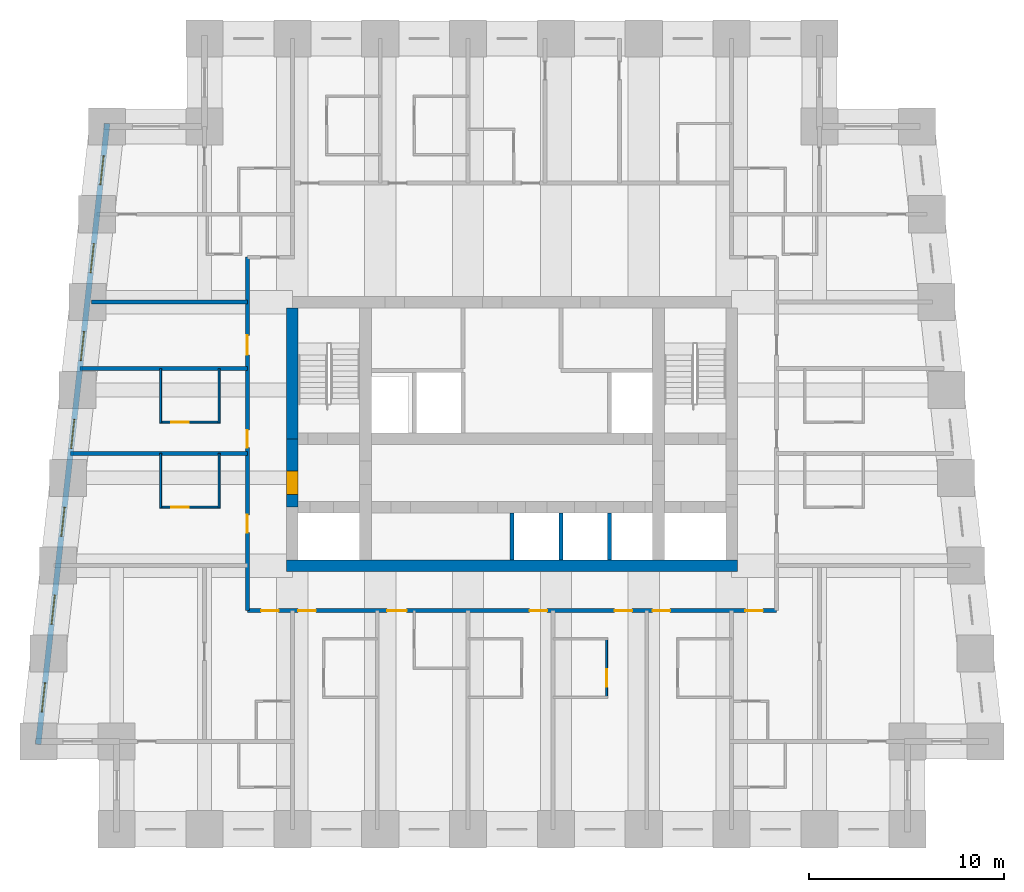
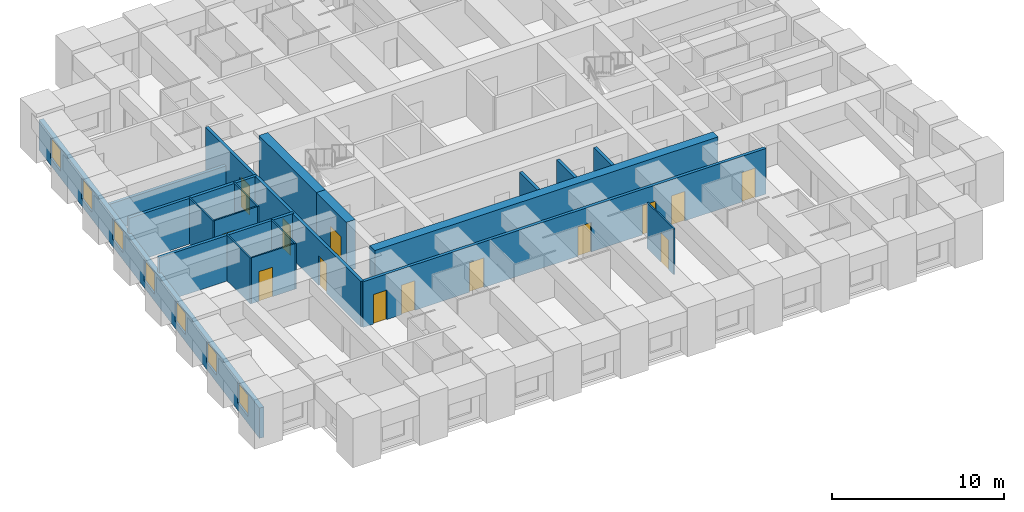
# One storey, part 3 of 8: 19 walls, 14 doors, 7 windows, 21 openings.
"""IFC4 building model written with IfcOpenShell, lengths in metres."""

import ifcopenshell
import ifcopenshell.guid

model = None  # the IFC model being written
_history = None  # IfcOwnerHistory: only IFC2X3 demands one
_inside = {}  # id of a spatial element -> (the spatial element, [elements in it])
_under = {}  # id of a project, library or spatial element -> (it, [spatial elements below it])
_declared = {}  # id of a project -> (the project, [libraries it declares])
_typed = {}  # id of a type object -> (the type object, [elements of that type])
_made_of = {}  # id of a material, layer set ... -> (it, [elements and type objects made of it])


def new_model(schema):
    """Start an empty IFC model of exactly this schema.

    Asked for "IFC4X3", IfcOpenShell would pick the latest addendum, in which some entities
    have other attributes; the version numbers below select the first issue.
    IFC2X3 requires an IfcOwnerHistory on every rooted entity: one is made here for all.
    """
    global model, _history
    if schema == "IFC4X3":
        model = ifcopenshell.file(schema_version=(4, 3, 0, 0))
    else:
        model = ifcopenshell.file(schema=schema)
    _inside.clear()
    _under.clear()
    _declared.clear()
    _typed.clear()
    _made_of.clear()
    _history = None
    if model.schema == "IFC2X3":
        org = make("IfcOrganization", Name="unknown")
        user = make(
            "IfcPersonAndOrganization",
            ThePerson=make("IfcPerson", FamilyName="unknown"),
            TheOrganization=org,
        )
        app = make(
            "IfcApplication",
            ApplicationDeveloper=org,
            Version="unknown",
            ApplicationFullName="unknown",
            ApplicationIdentifier="unknown",
        )
        _history = make(
            "IfcOwnerHistory",
            OwningUser=user,
            OwningApplication=app,
            ChangeAction="ADDED",
            CreationDate=0,
        )
    return model


def make(cls, **values):
    """One entity of the class cls with the attributes given. An attribute that is None is left unset."""
    return model.create_entity(
        cls, **{name: value for name, value in values.items() if value is not None}
    )


def rooted(cls, **values):
    """An entity with a GlobalId (a new one), such as an element, a storey or a relation."""
    return make(cls, GlobalId=ifcopenshell.guid.new(), OwnerHistory=_history, **values)


def si_unit(unit_type, name, prefix=None):
    """IfcSIUnit, for example si_unit("LENGTHUNIT", "METRE", prefix="MILLI")."""
    return make("IfcSIUnit", UnitType=unit_type, Prefix=prefix, Name=name)


def assignment(units):
    """IfcUnitAssignment: the units of a project."""
    return None if units is None else make("IfcUnitAssignment", Units=units)


def point(xyz):
    """IfcCartesianPoint."""
    return None if xyz is None else make("IfcCartesianPoint", Coordinates=xyz)


def direction(xyz):
    """IfcDirection."""
    return None if xyz is None else make("IfcDirection", DirectionRatios=xyz)


def frame(location, z_axis=None, x_axis=None):
    """IfcAxis2Placement3D, a coordinate frame: its origin and axes. An axis left out is left unset."""
    return make(
        "IfcAxis2Placement3D",
        Location=point(location),
        Axis=direction(z_axis),
        RefDirection=direction(x_axis),
    )


def frame_2d(location, x_axis=None):
    """IfcAxis2Placement2D, a coordinate frame in the plane: its origin and x axis."""
    return make(
        "IfcAxis2Placement2D", Location=point(location), RefDirection=direction(x_axis)
    )


def origin():
    """The frame at (0, 0, 0) with its axes left unset."""
    return frame((0.0, 0.0, 0.0))


def place(relative_to, where):
    """IfcLocalPlacement: puts the frame where relative to a parent placement (None: the world)."""
    return make(
        "IfcLocalPlacement", PlacementRelTo=relative_to, RelativePlacement=where
    )


def context(
    kind, dimensions, precision=None, world=None, true_north=None, identifier=None
):
    """IfcGeometricRepresentationContext, for example the 3D "Model" context."""
    return make(
        "IfcGeometricRepresentationContext",
        ContextIdentifier=identifier,
        ContextType=kind,
        CoordinateSpaceDimension=dimensions,
        Precision=precision,
        WorldCoordinateSystem=world,
        TrueNorth=true_north,
    )


def subcontext(parent, identifier, kind, view, scale=None):
    """IfcGeometricRepresentationSubContext, for example "Body" below "Model"."""
    return make(
        "IfcGeometricRepresentationSubContext",
        ContextIdentifier=identifier,
        ContextType=kind,
        ParentContext=parent,
        TargetScale=scale,
        TargetView=view,
    )


def project(units=None, contexts=None):
    """IfcProject with its units and contexts."""
    return rooted(
        "IfcProject",
        Name="project",
        RepresentationContexts=contexts,
        UnitsInContext=assignment(units),
    )


def spatial(cls, under=None, at=None, **own):
    """A site, building, storey or space (cls), placed at a placement, below another one or the project."""
    s = rooted(cls, ObjectPlacement=at, **own)
    if under is not None:
        _under.setdefault(under.id(), (under, []))[1].append(s)
    return s


def profile(cls, at=None, kind="AREA", **sizes):
    """A parametric profile (cls). Its sizes go by their IFC names, for example OverallWidth=200.0."""
    return make(cls, ProfileType=kind, Position=at, **sizes)


def rectangle(**sizes):
    """IfcRectangleProfileDef."""
    return profile("IfcRectangleProfileDef", **sizes)


def extrude(swept, where, along, depth):
    """IfcExtrudedAreaSolid: the profile swept, set in the frame where, extruded along a direction by depth."""
    return make(
        "IfcExtrudedAreaSolid",
        SweptArea=swept,
        Position=where,
        ExtrudedDirection=direction(along),
        Depth=depth,
    )


def shape(context_of_items, identifier, shape_type, items):
    """IfcShapeRepresentation: the items that make up one representation, for example the "Body"."""
    return make(
        "IfcShapeRepresentation",
        ContextOfItems=context_of_items,
        RepresentationIdentifier=identifier,
        RepresentationType=shape_type,
        Items=items,
    )


def material(Name=None, Category=None):
    """IfcMaterial."""
    return make("IfcMaterial", Name=Name, Category=Category)


def layer(
    of_material, thickness, ventilated=None, Name=None, Category=None, Priority=None
):
    """IfcMaterialLayer: one layer of a wall or slab, of a material (None: an air gap)."""
    return make(
        "IfcMaterialLayer",
        Material=of_material,
        LayerThickness=thickness,
        IsVentilated=ventilated,
        Name=Name,
        Category=Category,
        Priority=Priority,
    )


def layer_set(layers, Name=None):
    """IfcMaterialLayerSet."""
    return make("IfcMaterialLayerSet", MaterialLayers=layers, LayerSetName=Name)


def made_of(thing, what):
    """Note that an element or type object is made of a material, layer set ...; save() writes the relation."""
    if what is not None:
        _made_of.setdefault(what.id(), (what, []))[1].append(thing)
    return thing


def type_object(cls, material=None, **own):
    """A type object (cls), such as IfcWallType, which elements share."""
    return made_of(rooted(cls, **own), material)


def element(
    cls,
    number,
    at=None,
    inside=None,
    cuts=None,
    type_object=None,
    material=None,
    context=None,
    identifier="Body",
    shape_type=None,
    held_by="IfcProductDefinitionShape",
    body=None,
    shapes=None,
    **own,
):
    """One element of the class cls, such as IfcWall. Its Tag is "e" and its number.

    at: its placement. inside: the storey or other place that contains it. cuts: it is an
    opening in that element (IfcRelVoidsElement). A single representation is given by context,
    identifier, shape_type and body (its items); several are given by shapes. held_by: the class
    of the entity that holds the representations. save() writes the other relations.
    """
    e = rooted(cls, Tag="e%d" % number, ObjectPlacement=at, **own)
    if body is not None:
        shapes = [shape(context, identifier, shape_type, body)]
    if shapes is not None:
        e.Representation = make(held_by, Representations=shapes)
    if inside is not None:
        _inside.setdefault(inside.id(), (inside, []))[1].append(e)
    if cuts is not None:
        rooted(
            "IfcRelVoidsElement", RelatingBuildingElement=cuts, RelatedOpeningElement=e
        )
    if type_object is not None:
        _typed.setdefault(type_object.id(), (type_object, []))[1].append(e)
    return made_of(e, material)


def fill(opening, filler):
    """IfcRelFillsElement: the door or window that sits in an opening."""
    return rooted(
        "IfcRelFillsElement",
        RelatingOpeningElement=opening,
        RelatedBuildingElement=filler,
    )


def aggregate(whole, parts):
    """IfcRelAggregates: a whole, such as a stair, and the parts it consists of."""
    return rooted("IfcRelAggregates", RelatingObject=whole, RelatedObjects=parts)


def save(model, path):
    """Write the relations noted so far, then the file.

    IfcRelAggregates (storeys below a building ...), IfcRelContainedInSpatialStructure (elements
    in a storey), IfcRelDefinesByType, IfcRelAssociatesMaterial and IfcRelDeclares: one each for
    every whole, place, type object, material and project.
    """
    for whole, parts in _under.values():
        aggregate(whole, parts)
    for where, things in _inside.values():
        rooted(
            "IfcRelContainedInSpatialStructure",
            RelatedElements=things,
            RelatingStructure=where,
        )
    for kind, things in _typed.values():
        rooted("IfcRelDefinesByType", RelatedObjects=things, RelatingType=kind)
    for what, things in _made_of.values():
        rooted("IfcRelAssociatesMaterial", RelatedObjects=things, RelatingMaterial=what)
    for by, libraries in _declared.values():
        rooted("IfcRelDeclares", RelatingContext=by, RelatedDefinitions=libraries)
    model.write(path)


model = new_model("IFC4")

# Units and contexts
model_context = context("Model", 3, precision=1e-05, world=origin(), true_north=direction((0.0, 1.0)))
body_context = subcontext(model_context, "Body", "Model", "MODEL_VIEW")
ifc_project = project(units=[si_unit("LENGTHUNIT", "METRE"), si_unit("AREAUNIT", "SQUARE_METRE"), si_unit("VOLUMEUNIT", "CUBIC_METRE"), si_unit("PLANEANGLEUNIT", "RADIAN"), si_unit("MASSUNIT", "GRAM", prefix="KILO")], contexts=[model_context])

# Site, building, storey
site_placement = place(None, origin())
site = spatial("IfcSite", under=ifc_project, at=site_placement, CompositionType="ELEMENT")
building_placement = place(site_placement, origin())
building = spatial("IfcBuilding", under=site, at=building_placement, Name="Kilele Tower Hotel", CompositionType="ELEMENT")
storey_placement = place(building_placement, frame((0.0, 0.0, 107.39990234375)))
storey = spatial("IfcBuildingStorey", under=building, at=storey_placement, Name="L27", CompositionType="ELEMENT", Elevation=107.39990234375)

# Wall, opening, door
ifc_material_1 = material(Name="Moisture-resistant board")
ifc_layer_1 = layer(ifc_material_1, 0.10009765625)
ifc_layer_set_1 = layer_set([ifc_layer_1], Name="Moisture-resistant board")
wall_type_1 = type_object("IfcWallType", Name="Bathroom partition 100", PredefinedType="PLUMBINGWALL", material=ifc_layer_set_1)
wall_1_placement = place(storey_placement, frame((29.60009765625, 9.800048828125, 0.0), z_axis=(0.0, 0.0, 1.0), x_axis=(0.0, -1.0, 0.0)))
wall_1 = element("IfcWall", 1, at=wall_1_placement, inside=storey, type_object=wall_type_1, Name="Bathroom partition 100 L27", PredefinedType="PLUMBINGWALL", context=body_context, shape_type="SweptSolid", body=[
    extrude(rectangle(XDim=3.10009765625, YDim=0.10009765625, at=frame_2d((1.550048828125, 0.0))), origin(), (0.0, 0.0, 1.0), 3.25),
])
opening_1_placement = place(wall_1_placement, frame((1.60009765625, 0.0, 0.0)))
opening_1 = element("IfcOpeningElement", 2, at=opening_1_placement, cuts=wall_1, Name="Opening D2A", PredefinedType="OPENING", context=body_context, shape_type="SweptSolid", body=[
    extrude(rectangle(XDim=0.89990234375, YDim=2.10009765625, at=frame_2d((0.449951171875, 1.050048828125))), frame((0.0, 0.06005859375, 0.0), z_axis=(0.0, -1.0, 0.0), x_axis=(1.0, 0.0, 0.0)), (0.0, 0.0, 1.0), 0.1201171875),
])
ifc_material_2 = material(Name="Timber door leaf in hardwood frame", Category="wood")
door_type_1 = type_object("IfcDoorType", Name="Bathroom door 900", OperationType="SINGLE_SWING_LEFT", PredefinedType="DOOR", material=ifc_material_2)
door_1_placement = place(opening_1_placement, origin())
door_1 = element("IfcDoor", 3, at=door_1_placement, inside=storey, type_object=door_type_1, Name="Bathroom door 2704B", OperationType="SINGLE_SWING_RIGHT", OverallHeight=2.10009765625, OverallWidth=0.89990234375, PredefinedType="DOOR", context=body_context, shape_type="SweptSolid", body=[
    extrude(rectangle(XDim=0.89990234375, YDim=2.10009765625, at=frame_2d((0.449951171875, 1.050048828125))), frame((0.0, 0.02490234375, 0.0), z_axis=(0.0, -1.0, 0.0), x_axis=(1.0, 0.0, 0.0)), (0.0, 0.0, 1.0), 0.050048828125),
])
fill(opening_1, door_1)

# Walls
for number, where, z_axis, x_axis, name in (
    (4, (9.75, 16.449951171875, 0.0), (0.0, 0.0, 1.0), (0.0, 1.0, 0.0), "Bathroom partition 100 L27"),
    (5, (6.75, 16.449951171875, 0.0), (0.0, 0.0, 1.0), (0.0, 1.0, 0.0), "Bathroom partition 100 L27"),
):
    element("IfcWall", number, at=place(storey_placement, frame(where, z_axis=z_axis, x_axis=x_axis)), inside=storey, type_object=wall_type_1, Name=name, PredefinedType="PLUMBINGWALL", context=body_context, shape_type="SweptSolid", body=[
        extrude(rectangle(XDim=2.800048828125, YDim=0.10009765625, at=frame_2d((1.39990234375, 0.0))), origin(), (0.0, 0.0, 1.0), 3.25),
    ])

# Wall, opening, door
wall_2_placement = place(storey_placement, frame((9.800048828125, 16.5, 0.0), z_axis=(0.0, 0.0, 1.0), x_axis=(-1.0, 0.0, 0.0)))
wall_2 = element("IfcWall", 6, at=wall_2_placement, inside=storey, type_object=wall_type_1, Name="Bathroom partition 100 L27", PredefinedType="PLUMBINGWALL", context=body_context, shape_type="SweptSolid", body=[
    extrude(rectangle(XDim=3.10009765625, YDim=0.10009765625, at=frame_2d((1.550048828125, 0.0))), origin(), (0.0, 0.0, 1.0), 3.25),
])
opening_2_placement = place(wall_2_placement, frame((1.60009765625, 0.0, 0.0)))
opening_2 = element("IfcOpeningElement", 7, at=opening_2_placement, cuts=wall_2, Name="Opening D2A", PredefinedType="OPENING", context=body_context, shape_type="SweptSolid", body=[
    extrude(rectangle(XDim=0.89990234375, YDim=2.10009765625, at=frame_2d((0.449951171875, 1.050048828125))), frame((0.0, 0.06005859375, 0.0), z_axis=(0.0, -1.0, 0.0), x_axis=(1.0, 0.0, 0.0)), (0.0, 0.0, 1.0), 0.1201171875),
])
door_2_placement = place(opening_2_placement, origin())
door_2 = element("IfcDoor", 8, at=door_2_placement, inside=storey, type_object=door_type_1, Name="Bathroom door 2714B", OperationType="SINGLE_SWING_RIGHT", OverallHeight=2.10009765625, OverallWidth=0.89990234375, PredefinedType="DOOR", context=body_context, shape_type="SweptSolid", body=[
    extrude(rectangle(XDim=0.89990234375, YDim=2.10009765625, at=frame_2d((0.449951171875, 1.050048828125))), frame((0.0, 0.02490234375, 0.0), z_axis=(0.0, -1.0, 0.0), x_axis=(1.0, 0.0, 0.0)), (0.0, 0.0, 1.0), 0.050048828125),
])
fill(opening_2, door_2)

# Walls
for number, where, z_axis, x_axis, name in (
    (9, (9.75, 20.800048828125, 0.0), (0.0, 0.0, 1.0), (0.0, 1.0, 0.0), "Bathroom partition 100 L27"),
    (10, (6.75, 20.800048828125, 0.0), (0.0, 0.0, 1.0), (0.0, 1.0, 0.0), "Bathroom partition 100 L27"),
):
    element("IfcWall", number, at=place(storey_placement, frame(where, z_axis=z_axis, x_axis=x_axis)), inside=storey, type_object=wall_type_1, Name=name, PredefinedType="PLUMBINGWALL", context=body_context, shape_type="SweptSolid", body=[
        extrude(rectangle(XDim=2.800048828125, YDim=0.10009765625, at=frame_2d((1.39990234375, 0.0))), origin(), (0.0, 0.0, 1.0), 3.25),
    ])

# Wall, opening, door
wall_3_placement = place(storey_placement, frame((9.800048828125, 20.85009765625, 0.0), z_axis=(0.0, 0.0, 1.0), x_axis=(-1.0, 0.0, 0.0)))
wall_3 = element("IfcWall", 11, at=wall_3_placement, inside=storey, type_object=wall_type_1, Name="Bathroom partition 100 L27", PredefinedType="PLUMBINGWALL", context=body_context, shape_type="SweptSolid", body=[
    extrude(rectangle(XDim=3.10009765625, YDim=0.10009765625, at=frame_2d((1.550048828125, 0.0))), origin(), (0.0, 0.0, 1.0), 3.25),
])
opening_3_placement = place(wall_3_placement, frame((1.60009765625, 0.0, 0.0)))
opening_3 = element("IfcOpeningElement", 12, at=opening_3_placement, cuts=wall_3, Name="Opening D2A", PredefinedType="OPENING", context=body_context, shape_type="SweptSolid", body=[
    extrude(rectangle(XDim=0.89990234375, YDim=2.10009765625, at=frame_2d((0.449951171875, 1.050048828125))), frame((0.0, 0.06005859375, 0.0), z_axis=(0.0, -1.0, 0.0), x_axis=(1.0, 0.0, 0.0)), (0.0, 0.0, 1.0), 0.1201171875),
])
door_3_placement = place(opening_3_placement, origin())
door_3 = element("IfcDoor", 13, at=door_3_placement, inside=storey, type_object=door_type_1, Name="Bathroom door 2715B", OperationType="SINGLE_SWING_RIGHT", OverallHeight=2.10009765625, OverallWidth=0.89990234375, PredefinedType="DOOR", context=body_context, shape_type="SweptSolid", body=[
    extrude(rectangle(XDim=0.89990234375, YDim=2.10009765625, at=frame_2d((0.449951171875, 1.050048828125))), frame((0.0, 0.02490234375, 0.0), z_axis=(0.0, -1.0, 0.0), x_axis=(1.0, 0.0, 0.0)), (0.0, 0.0, 1.0), 0.050048828125),
])
fill(opening_3, door_3)

# Walls
ifc_material_3 = material(Name="Concrete C60/75", Category="concrete")
ifc_layer_2 = layer(ifc_material_3, 0.60009765625)
ifc_layer_set_2 = layer_set([ifc_layer_2], Name="Concrete C60/75")
wall_type_2 = type_object("IfcWallType", Name="Core wall 600 C60/75", PredefinedType="SHEAR", material=ifc_layer_set_2)
wall_4_placement = place(storey_placement, frame((13.199951171875, 13.5, 0.0), z_axis=(0.0, 0.0, 1.0), x_axis=(1.0, 0.0, 0.0)))
element("IfcWall", 14, at=wall_4_placement, inside=storey, type_object=wall_type_2, Name="Core wall S L27", PredefinedType="SHEAR", context=body_context, shape_type="SweptSolid", body=[
    extrude(rectangle(XDim=23.10009765625, YDim=0.60009765625, at=frame_2d((11.550048828125, 0.0))), origin(), (0.0, 0.0, 1.0), 3.5),
])
wall_5_placement = place(storey_placement, frame((13.5, 26.699951171875, 0.0), z_axis=(0.0, 0.0, 1.0), x_axis=(0.0, -1.0, 0.0)))
element("IfcWall", 15, at=wall_5_placement, inside=storey, type_object=wall_type_2, Name="Core wall W1 L27", PredefinedType="SHEAR", context=body_context, shape_type="SweptSolid", body=[
    extrude(rectangle(XDim=6.699951171875, YDim=0.60009765625, at=frame_2d((3.35009765625, 0.0))), origin(), (0.0, 0.0, 1.0), 3.5),
])

# Wall, opening, door
wall_6_placement = place(storey_placement, frame((13.5, 20.0, 0.0), z_axis=(0.0, 0.0, 1.0), x_axis=(0.0, -1.0, 0.0)))
wall_6 = element("IfcWall", 16, at=wall_6_placement, inside=storey, type_object=wall_type_2, Name="Core wall W2 L27", PredefinedType="SHEAR", context=body_context, shape_type="SweptSolid", body=[
    extrude(rectangle(XDim=3.5, YDim=0.60009765625, at=frame_2d((1.75, 0.0))), origin(), (0.0, 0.0, 1.0), 3.5),
])
opening_4_placement = place(wall_6_placement, frame((1.64990234375, 0.0, 0.0)))
opening_4 = element("IfcOpeningElement", 17, at=opening_4_placement, cuts=wall_6, Name="Opening D4", PredefinedType="OPENING", context=body_context, shape_type="SweptSolid", body=[
    extrude(rectangle(XDim=1.199951171875, YDim=2.10009765625, at=frame_2d((0.60009765625, 1.050048828125))), frame((0.0, 0.31005859375, 0.0), z_axis=(0.0, -1.0, 0.0), x_axis=(1.0, 0.0, 0.0)), (0.0, 0.0, 1.0), 0.6201171875),
])
ifc_material_4 = material(Name="Timber door leaf in hardwood frame", Category="wood")
door_type_2 = type_object("IfcDoorType", Name="Firefighting lobby door 1200", OperationType="SINGLE_SWING_LEFT", PredefinedType="DOOR", material=ifc_material_4)
door_4_placement = place(opening_4_placement, origin())
door_4 = element("IfcDoor", 18, at=door_4_placement, inside=storey, type_object=door_type_2, Name="Lobby door L27", OperationType="SINGLE_SWING_RIGHT", OverallHeight=2.10009765625, OverallWidth=1.199951171875, PredefinedType="DOOR", context=body_context, shape_type="SweptSolid", body=[
    extrude(rectangle(XDim=1.199951171875, YDim=2.10009765625, at=frame_2d((0.60009765625, 1.050048828125))), frame((0.0, 0.2998046875, 0.0), z_axis=(0.0, -1.0, 0.0), x_axis=(1.0, 0.0, 0.0)), (0.0, 0.0, 1.0), 0.599609375),
])
fill(opening_4, door_4)

# Wall, openings, doors
ifc_material_5 = material(Name="Blockwork, plastered both sides", Category="masonry")
ifc_layer_3 = layer(ifc_material_5, 0.199951171875)
ifc_layer_set_3 = layer_set([ifc_layer_3], Name="Blockwork, plastered both sides")
wall_type_3 = type_object("IfcWallType", Name="Corridor wall 200", PredefinedType="PARTITIONING", material=ifc_layer_set_3)
wall_7_placement = place(storey_placement, frame((11.199951171875, 11.199951171875, 0.0), z_axis=(0.0, 0.0, 1.0), x_axis=(1.0, 0.0, 0.0)))
wall_7 = element("IfcWall", 19, at=wall_7_placement, inside=storey, type_object=wall_type_3, Name="Corridor wall 200 L27", PredefinedType="PARTITIONING", context=body_context, shape_type="SweptSolid", body=[
    extrude(rectangle(XDim=27.10009765625, YDim=0.199951171875, at=frame_2d((13.550048828125, 0.0))), origin(), (0.0, 0.0, 1.0), 3.25),
])
opening_5_placement = place(wall_7_placement, frame((3.5, 0.0, 0.0), z_axis=(0.0, 0.0, 1.0), x_axis=(-1.0, 0.0, 0.0)))
opening_5 = element("IfcOpeningElement", 20, at=opening_5_placement, cuts=wall_7, Name="Opening D1", PredefinedType="OPENING", context=body_context, shape_type="SweptSolid", body=[
    extrude(rectangle(XDim=0.89990234375, YDim=2.10009765625, at=frame_2d((0.449951171875, 1.050048828125))), frame((0.0, 0.10986328125, 0.0), z_axis=(0.0, -1.0, 0.0), x_axis=(1.0, 0.0, 0.0)), (0.0, 0.0, 1.0), 0.219970703125),
])
opening_6_placement = place(wall_7_placement, frame((8.14990234375, 0.0, 0.0), z_axis=(0.0, 0.0, 1.0), x_axis=(-1.0, 0.0, 0.0)))
opening_6 = element("IfcOpeningElement", 21, at=opening_6_placement, cuts=wall_7, Name="Opening D1A", PredefinedType="OPENING", context=body_context, shape_type="SweptSolid", body=[
    extrude(rectangle(XDim=1.0, YDim=2.10009765625, at=frame_2d((0.5, 1.050048828125))), frame((0.0, 0.10986328125, 0.0), z_axis=(0.0, -1.0, 0.0), x_axis=(1.0, 0.0, 0.0)), (0.0, 0.0, 1.0), 0.219970703125),
])
opening_7_placement = place(wall_7_placement, frame((15.349853515625, 0.0, 0.0), z_axis=(0.0, 0.0, 1.0), x_axis=(-1.0, 0.0, 0.0)))
opening_7 = element("IfcOpeningElement", 22, at=opening_7_placement, cuts=wall_7, Name="Opening D1", PredefinedType="OPENING", context=body_context, shape_type="SweptSolid", body=[
    extrude(rectangle(XDim=0.89990234375, YDim=2.10009765625, at=frame_2d((0.449951171875, 1.050048828125))), frame((0.0, 0.10986328125, 0.0), z_axis=(0.0, -1.0, 0.0), x_axis=(1.0, 0.0, 0.0)), (0.0, 0.0, 1.0), 0.219970703125),
])
opening_8_placement = place(wall_7_placement, frame((19.699951171875, 0.0, 0.0), z_axis=(0.0, 0.0, 1.0), x_axis=(-1.0, 0.0, 0.0)))
opening_8 = element("IfcOpeningElement", 23, at=opening_8_placement, cuts=wall_7, Name="Opening D1", PredefinedType="OPENING", context=body_context, shape_type="SweptSolid", body=[
    extrude(rectangle(XDim=0.89990234375, YDim=2.10009765625, at=frame_2d((0.449951171875, 1.050048828125))), frame((0.0, 0.10986328125, 0.0), z_axis=(0.0, -1.0, 0.0), x_axis=(1.0, 0.0, 0.0)), (0.0, 0.0, 1.0), 0.219970703125),
])
opening_9_placement = place(wall_7_placement, frame((21.64990234375, 0.0, 0.0), z_axis=(0.0, 0.0, 1.0), x_axis=(-1.0, 0.0, 0.0)))
opening_9 = element("IfcOpeningElement", 24, at=opening_9_placement, cuts=wall_7, Name="Opening D1", PredefinedType="OPENING", context=body_context, shape_type="SweptSolid", body=[
    extrude(rectangle(XDim=0.89990234375, YDim=2.10009765625, at=frame_2d((0.449951171875, 1.050048828125))), frame((0.0, 0.10986328125, 0.0), z_axis=(0.0, -1.0, 0.0), x_axis=(1.0, 0.0, 0.0)), (0.0, 0.0, 1.0), 0.219970703125),
])
opening_10_placement = place(wall_7_placement, frame((1.599853515625, 0.0, 0.0), z_axis=(0.0, 0.0, 1.0), x_axis=(-1.0, 0.0, 0.0)))
opening_10 = element("IfcOpeningElement", 25, at=opening_10_placement, cuts=wall_7, Name="Opening D1", PredefinedType="OPENING", context=body_context, shape_type="SweptSolid", body=[
    extrude(rectangle(XDim=0.89990234375, YDim=2.10009765625, at=frame_2d((0.449951171875, 1.050048828125))), frame((0.0, 0.10986328125, 0.0), z_axis=(0.0, -1.0, 0.0), x_axis=(1.0, 0.0, 0.0)), (0.0, 0.0, 1.0), 0.219970703125),
])
opening_11_placement = place(wall_7_placement, frame((26.39990234375, 0.0, 0.0), z_axis=(0.0, 0.0, 1.0), x_axis=(-1.0, 0.0, 0.0)))
opening_11 = element("IfcOpeningElement", 26, at=opening_11_placement, cuts=wall_7, Name="Opening D1", PredefinedType="OPENING", context=body_context, shape_type="SweptSolid", body=[
    extrude(rectangle(XDim=0.89990234375, YDim=2.10009765625, at=frame_2d((0.449951171875, 1.050048828125))), frame((0.0, 0.10986328125, 0.0), z_axis=(0.0, -1.0, 0.0), x_axis=(1.0, 0.0, 0.0)), (0.0, 0.0, 1.0), 0.219970703125),
])
ifc_material_6 = material(Name="Timber door leaf in hardwood frame", Category="wood")
door_type_3 = type_object("IfcDoorType", Name="Guest room entrance door 1000", OperationType="SINGLE_SWING_LEFT", PredefinedType="DOOR", material=ifc_material_6)
door_5_placement = place(opening_6_placement, origin())
door_5 = element("IfcDoor", 27, at=door_5_placement, inside=storey, type_object=door_type_3, Name="Room entrance 2702", OperationType="SINGLE_SWING_RIGHT", OverallHeight=2.10009765625, OverallWidth=1.0, PredefinedType="DOOR", context=body_context, shape_type="SweptSolid", body=[
    extrude(rectangle(XDim=1.0, YDim=2.10009765625, at=frame_2d((0.5, 1.050048828125))), frame((0.0, 0.02490234375, 0.0), z_axis=(0.0, -1.0, 0.0), x_axis=(1.0, 0.0, 0.0)), (0.0, 0.0, 1.0), 0.050048828125),
])
fill(opening_6, door_5)
ifc_material_7 = material(Name="Timber door leaf in hardwood frame", Category="wood")
door_type_4 = type_object("IfcDoorType", Name="Guest room entrance door 900", OperationType="SINGLE_SWING_LEFT", PredefinedType="DOOR", material=ifc_material_7)
door_6_placement = place(opening_5_placement, origin())
door_6 = element("IfcDoor", 28, at=door_6_placement, inside=storey, type_object=door_type_4, Name="Room entrance 2701", OperationType="SINGLE_SWING_RIGHT", OverallHeight=2.10009765625, OverallWidth=0.89990234375, PredefinedType="DOOR", context=body_context, shape_type="SweptSolid", body=[
    extrude(rectangle(XDim=0.89990234375, YDim=2.10009765625, at=frame_2d((0.449951171875, 1.050048828125))), frame((0.0, 0.02490234375, 0.0), z_axis=(0.0, -1.0, 0.0), x_axis=(1.0, 0.0, 0.0)), (0.0, 0.0, 1.0), 0.050048828125),
])
fill(opening_5, door_6)
door_7_placement = place(opening_7_placement, origin())
door_7 = element("IfcDoor", 29, at=door_7_placement, inside=storey, type_object=door_type_4, Name="Room entrance 2703", OperationType="SINGLE_SWING_LEFT", OverallHeight=2.10009765625, OverallWidth=0.89990234375, PredefinedType="DOOR", context=body_context, shape_type="SweptSolid", body=[
    extrude(rectangle(XDim=0.89990234375, YDim=2.10009765625, at=frame_2d((0.449951171875, 1.050048828125))), frame((0.0, 0.02490234375, 0.0), z_axis=(0.0, -1.0, 0.0), x_axis=(1.0, 0.0, 0.0)), (0.0, 0.0, 1.0), 0.050048828125),
])
fill(opening_7, door_7)
door_8_placement = place(opening_8_placement, origin())
door_8 = element("IfcDoor", 30, at=door_8_placement, inside=storey, type_object=door_type_4, Name="Room entrance 2704", OperationType="SINGLE_SWING_LEFT", OverallHeight=2.10009765625, OverallWidth=0.89990234375, PredefinedType="DOOR", context=body_context, shape_type="SweptSolid", body=[
    extrude(rectangle(XDim=0.89990234375, YDim=2.10009765625, at=frame_2d((0.449951171875, 1.050048828125))), frame((0.0, 0.02490234375, 0.0), z_axis=(0.0, -1.0, 0.0), x_axis=(1.0, 0.0, 0.0)), (0.0, 0.0, 1.0), 0.050048828125),
])
fill(opening_8, door_8)
door_9_placement = place(opening_9_placement, origin())
door_9 = element("IfcDoor", 31, at=door_9_placement, inside=storey, type_object=door_type_4, Name="Room entrance 2705", OperationType="SINGLE_SWING_RIGHT", OverallHeight=2.10009765625, OverallWidth=0.89990234375, PredefinedType="DOOR", context=body_context, shape_type="SweptSolid", body=[
    extrude(rectangle(XDim=0.89990234375, YDim=2.10009765625, at=frame_2d((0.449951171875, 1.050048828125))), frame((0.0, 0.02490234375, 0.0), z_axis=(0.0, -1.0, 0.0), x_axis=(1.0, 0.0, 0.0)), (0.0, 0.0, 1.0), 0.050048828125),
])
fill(opening_9, door_9)
door_10_placement = place(opening_10_placement, origin())
door_10 = element("IfcDoor", 32, at=door_10_placement, inside=storey, type_object=door_type_4, Name="Room entrance 2717", OperationType="SINGLE_SWING_LEFT", OverallHeight=2.10009765625, OverallWidth=0.89990234375, PredefinedType="DOOR", context=body_context, shape_type="SweptSolid", body=[
    extrude(rectangle(XDim=0.89990234375, YDim=2.10009765625, at=frame_2d((0.449951171875, 1.050048828125))), frame((0.0, 0.02490234375, 0.0), z_axis=(0.0, -1.0, 0.0), x_axis=(1.0, 0.0, 0.0)), (0.0, 0.0, 1.0), 0.050048828125),
])
fill(opening_10, door_10)
door_11_placement = place(opening_11_placement, origin())
door_11 = element("IfcDoor", 33, at=door_11_placement, inside=storey, type_object=door_type_4, Name="Room entrance 2720", OperationType="SINGLE_SWING_RIGHT", OverallHeight=2.10009765625, OverallWidth=0.89990234375, PredefinedType="DOOR", context=body_context, shape_type="SweptSolid", body=[
    extrude(rectangle(XDim=0.89990234375, YDim=2.10009765625, at=frame_2d((0.449951171875, 1.050048828125))), frame((0.0, 0.02490234375, 0.0), z_axis=(0.0, -1.0, 0.0), x_axis=(1.0, 0.0, 0.0)), (0.0, 0.0, 1.0), 0.050048828125),
])
fill(opening_11, door_11)

wall_8_placement = place(storey_placement, frame((11.199951171875, 11.199951171875, 0.0), z_axis=(0.0, 0.0, 1.0), x_axis=(0.0, 1.0, 0.0)))
wall_8 = element("IfcWall", 34, at=wall_8_placement, inside=storey, type_object=wall_type_3, Name="Corridor wall 200 L27", PredefinedType="PARTITIONING", context=body_context, shape_type="SweptSolid", body=[
    extrude(rectangle(XDim=18.10009765625, YDim=0.199951171875, at=frame_2d((9.050048828125, 0.0))), origin(), (0.0, 0.0, 1.0), 3.25),
])
opening_12_placement = place(wall_8_placement, frame((4.0, 0.0, 0.0)))
opening_12 = element("IfcOpeningElement", 35, at=opening_12_placement, cuts=wall_8, Name="Opening D1", PredefinedType="OPENING", context=body_context, shape_type="SweptSolid", body=[
    extrude(rectangle(XDim=0.89990234375, YDim=2.10009765625, at=frame_2d((0.449951171875, 1.050048828125))), frame((0.0, 0.10986328125, 0.0), z_axis=(0.0, -1.0, 0.0), x_axis=(1.0, 0.0, 0.0)), (0.0, 0.0, 1.0), 0.219970703125),
])
opening_13_placement = place(wall_8_placement, frame((8.35009765625, 0.0, 0.0)))
opening_13 = element("IfcOpeningElement", 36, at=opening_13_placement, cuts=wall_8, Name="Opening D1", PredefinedType="OPENING", context=body_context, shape_type="SweptSolid", body=[
    extrude(rectangle(XDim=0.89990234375, YDim=2.10009765625, at=frame_2d((0.449951171875, 1.050048828125))), frame((0.0, 0.10986328125, 0.0), z_axis=(0.0, -1.0, 0.0), x_axis=(1.0, 0.0, 0.0)), (0.0, 0.0, 1.0), 0.219970703125),
])
opening_14_placement = place(wall_8_placement, frame((13.10009765625, 0.0, 0.0)))
opening_14 = element("IfcOpeningElement", 37, at=opening_14_placement, cuts=wall_8, Name="Opening D8", PredefinedType="OPENING", context=body_context, shape_type="SweptSolid", body=[
    extrude(rectangle(XDim=1.0, YDim=2.10009765625, at=frame_2d((0.5, 1.050048828125))), frame((0.0, 0.10986328125, 0.0), z_axis=(0.0, -1.0, 0.0), x_axis=(1.0, 0.0, 0.0)), (0.0, 0.0, 1.0), 0.219970703125),
])
ifc_material_8 = material(Name="Timber door leaf in hardwood frame", Category="wood")
door_type_5 = type_object("IfcDoorType", Name="Door 1000", OperationType="SINGLE_SWING_LEFT", PredefinedType="DOOR", material=ifc_material_8)
door_12_placement = place(opening_14_placement, origin())
door_12 = element("IfcDoor", 38, at=door_12_placement, inside=storey, type_object=door_type_5, Name="Room entrance 2716", OperationType="SINGLE_SWING_LEFT", OverallHeight=2.10009765625, OverallWidth=1.0, PredefinedType="DOOR", context=body_context, shape_type="SweptSolid", body=[
    extrude(rectangle(XDim=1.0, YDim=2.10009765625, at=frame_2d((0.5, 1.050048828125))), frame((0.0, 0.02490234375, 0.0), z_axis=(0.0, -1.0, 0.0), x_axis=(1.0, 0.0, 0.0)), (0.0, 0.0, 1.0), 0.050048828125),
])
fill(opening_14, door_12)
door_13_placement = place(opening_12_placement, origin())
door_13 = element("IfcDoor", 39, at=door_13_placement, inside=storey, type_object=door_type_4, Name="Room entrance 2714", OperationType="SINGLE_SWING_LEFT", OverallHeight=2.10009765625, OverallWidth=0.89990234375, PredefinedType="DOOR", context=body_context, shape_type="SweptSolid", body=[
    extrude(rectangle(XDim=0.89990234375, YDim=2.10009765625, at=frame_2d((0.449951171875, 1.050048828125))), frame((0.0, 0.02490234375, 0.0), z_axis=(0.0, -1.0, 0.0), x_axis=(1.0, 0.0, 0.0)), (0.0, 0.0, 1.0), 0.050048828125),
])
fill(opening_12, door_13)
door_14_placement = place(opening_13_placement, origin())
door_14 = element("IfcDoor", 40, at=door_14_placement, inside=storey, type_object=door_type_4, Name="Room entrance 2715", OperationType="SINGLE_SWING_LEFT", OverallHeight=2.10009765625, OverallWidth=0.89990234375, PredefinedType="DOOR", context=body_context, shape_type="SweptSolid", body=[
    extrude(rectangle(XDim=0.89990234375, YDim=2.10009765625, at=frame_2d((0.449951171875, 1.050048828125))), frame((0.0, 0.02490234375, 0.0), z_axis=(0.0, -1.0, 0.0), x_axis=(1.0, 0.0, 0.0)), (0.0, 0.0, 1.0), 0.050048828125),
])
fill(opening_13, door_14)

# Walls
ifc_material_9 = material(Name="Blockwork, plastered both sides", Category="masonry")
ifc_layer_4 = layer(ifc_material_9, 0.199951171875)
ifc_layer_set_4 = layer_set([ifc_layer_4], Name="Blockwork, plastered both sides")
wall_type_4 = type_object("IfcWallType", Name="Party wall 200", PredefinedType="PARTITIONING", material=ifc_layer_set_4)
wall_9_placement = place(storey_placement, frame((11.199951171875, 19.25, 0.0), z_axis=(0.0, 0.0, 1.0), x_axis=(-1.0, 0.0, 0.0)))
element("IfcWall", 41, at=wall_9_placement, inside=storey, type_object=wall_type_4, Name="Party wall 200 L27", PredefinedType="PARTITIONING", context=body_context, shape_type="SweptSolid", body=[
    extrude(rectangle(XDim=9.06005859375, YDim=0.199951171875, at=frame_2d((4.530029296875, 0.0))), origin(), (0.0, 0.0, 1.0), 3.25),
])
wall_10_placement = place(storey_placement, frame((11.199951171875, 23.60009765625, 0.0), z_axis=(0.0, 0.0, 1.0), x_axis=(-1.0, 0.0, 0.0)))
element("IfcWall", 42, at=wall_10_placement, inside=storey, type_object=wall_type_4, Name="Party wall 200 L27", PredefinedType="PARTITIONING", context=body_context, shape_type="SweptSolid", body=[
    extrude(rectangle(XDim=8.576904296875, YDim=0.199951171875, at=frame_2d((4.28857421875, 0.0))), origin(), (0.0, 0.0, 1.0), 3.25),
])
wall_11_placement = place(storey_placement, frame((11.199951171875, 27.0, 0.0), z_axis=(0.0, 0.0, 1.0), x_axis=(-1.0, 0.0, 0.0)))
element("IfcWall", 43, at=wall_11_placement, inside=storey, type_object=wall_type_4, Name="Party wall 200 L27", PredefinedType="PARTITIONING", context=body_context, shape_type="SweptSolid", body=[
    extrude(rectangle(XDim=7.976806640625, YDim=0.199951171875, at=frame_2d((3.98828125, 0.0))), origin(), (0.0, 0.0, 1.0), 1.9501953125),
])

# Wall, openings, windows
ifc_material_10 = material(Name="Concrete C40/50 precast", Category="concrete")
ifc_layer_5 = layer(ifc_material_10, 0.260009765625, Name="Precast backing", Category="LoadBearing")
ifc_material_11 = material(Name="Reconstituted stone finish", Category="masonry")
ifc_layer_6 = layer(ifc_material_11, 0.0400390625, Name="Face mix", Category="Finish")
ifc_layer_set_5 = layer_set([ifc_layer_5, ifc_layer_6], Name="Precast concrete C40/50, reconstituted stone finish")
wall_type_5 = type_object("IfcWallType", Name="Precast stone facade wall 300", PredefinedType="STANDARD", material=ifc_layer_set_5)
wall_12_placement = place(storey_placement, frame((4.0166015625, 36.149169921875, 0.0), z_axis=(0.0, 0.0, 1.0), x_axis=(-0.110433201132, -0.993883548555, 0.0)))
wall_12 = element("IfcWall", 44, at=wall_12_placement, inside=storey, type_object=wall_type_5, Name="Facade wall L27 edge 12", PredefinedType="STANDARD", context=body_context, shape_type="SweptSolid", body=[
    extrude(rectangle(XDim=31.994140625, YDim=0.300048828125, at=frame_2d((15.9970703125, 0.0))), origin(), (0.0, 0.0, 1.0), 2.150146484375),
])
opening_15_placement = place(wall_12_placement, frame((1.6640625, 0.0, 0.5)))
opening_15 = element("IfcOpeningElement", 45, at=opening_15_placement, cuts=wall_12, Name="Opening W2", PredefinedType="OPENING", context=body_context, shape_type="SweptSolid", body=[
    extrude(rectangle(XDim=1.5, YDim=1.5, at=frame_2d((0.75, 0.75))), frame((0.0, 0.159912109375, 0.0), z_axis=(0.0, -1.0, 0.0), x_axis=(1.0, 0.0, 0.0)), (0.0, 0.0, 1.0), 0.320068359375),
])
opening_16_placement = place(wall_12_placement, frame((6.19189453125, 0.0, 0.5)))
opening_16 = element("IfcOpeningElement", 46, at=opening_16_placement, cuts=wall_12, Name="Opening W2", PredefinedType="OPENING", context=body_context, shape_type="SweptSolid", body=[
    extrude(rectangle(XDim=1.5, YDim=1.5, at=frame_2d((0.75, 0.75))), frame((0.0, 0.159912109375, 0.0), z_axis=(0.0, -1.0, 0.0), x_axis=(1.0, 0.0, 0.0)), (0.0, 0.0, 1.0), 0.320068359375),
])
opening_17_placement = place(wall_12_placement, frame((10.718994140625, 0.0, 0.5)))
opening_17 = element("IfcOpeningElement", 47, at=opening_17_placement, cuts=wall_12, Name="Opening W2", PredefinedType="OPENING", context=body_context, shape_type="SweptSolid", body=[
    extrude(rectangle(XDim=1.5, YDim=1.5, at=frame_2d((0.75, 0.75))), frame((0.0, 0.159912109375, 0.0), z_axis=(0.0, -1.0, 0.0), x_axis=(1.0, 0.0, 0.0)), (0.0, 0.0, 1.0), 0.320068359375),
])
opening_18_placement = place(wall_12_placement, frame((15.2470703125, 0.0, 0.5)))
opening_18 = element("IfcOpeningElement", 48, at=opening_18_placement, cuts=wall_12, Name="Opening W2", PredefinedType="OPENING", context=body_context, shape_type="SweptSolid", body=[
    extrude(rectangle(XDim=1.5, YDim=1.5, at=frame_2d((0.75, 0.75))), frame((0.0, 0.159912109375, 0.0), z_axis=(0.0, -1.0, 0.0), x_axis=(1.0, 0.0, 0.0)), (0.0, 0.0, 1.0), 0.320068359375),
])
opening_19_placement = place(wall_12_placement, frame((19.77490234375, 0.0, 0.5)))
opening_19 = element("IfcOpeningElement", 49, at=opening_19_placement, cuts=wall_12, Name="Opening W2", PredefinedType="OPENING", context=body_context, shape_type="SweptSolid", body=[
    extrude(rectangle(XDim=1.5, YDim=1.5, at=frame_2d((0.75, 0.75))), frame((0.0, 0.159912109375, 0.0), z_axis=(0.0, -1.0, 0.0), x_axis=(1.0, 0.0, 0.0)), (0.0, 0.0, 1.0), 0.320068359375),
])
opening_20_placement = place(wall_12_placement, frame((24.302001953125, 0.0, 0.5)))
opening_20 = element("IfcOpeningElement", 50, at=opening_20_placement, cuts=wall_12, Name="Opening W2", PredefinedType="OPENING", context=body_context, shape_type="SweptSolid", body=[
    extrude(rectangle(XDim=1.5, YDim=1.5, at=frame_2d((0.75, 0.75))), frame((0.0, 0.159912109375, 0.0), z_axis=(0.0, -1.0, 0.0), x_axis=(1.0, 0.0, 0.0)), (0.0, 0.0, 1.0), 0.320068359375),
])
opening_21_placement = place(wall_12_placement, frame((28.830078125, 0.0, 0.5)))
opening_21 = element("IfcOpeningElement", 51, at=opening_21_placement, cuts=wall_12, Name="Opening W2", PredefinedType="OPENING", context=body_context, shape_type="SweptSolid", body=[
    extrude(rectangle(XDim=1.5, YDim=1.5, at=frame_2d((0.75, 0.75))), frame((0.0, 0.159912109375, 0.0), z_axis=(0.0, -1.0, 0.0), x_axis=(1.0, 0.0, 0.0)), (0.0, 0.0, 1.0), 0.320068359375),
])
ifc_material_12 = material(Name="Aluminium frame, clear double glazing", Category="aluminium")
window_type = type_object("IfcWindowType", Name="Window W2 1500 x 1500", PartitioningType="SINGLE_PANEL", PredefinedType="WINDOW", material=ifc_material_12)
window_1_placement = place(opening_15_placement, origin())
window_1 = element("IfcWindow", 52, at=window_1_placement, inside=storey, type_object=window_type, Name="Window L27", OverallHeight=1.5, OverallWidth=1.5, PartitioningType="SINGLE_PANEL", PredefinedType="WINDOW", context=body_context, shape_type="SweptSolid", body=[
    extrude(rectangle(XDim=1.5, YDim=1.5, at=frame_2d((0.75, 0.75))), frame((0.0, 0.030029296875, 0.0), z_axis=(0.0, -1.0, 0.0), x_axis=(1.0, 0.0, 0.0)), (0.0, 0.0, 1.0), 0.06005859375),
])
fill(opening_15, window_1)
window_2_placement = place(opening_16_placement, origin())
window_2 = element("IfcWindow", 53, at=window_2_placement, inside=storey, type_object=window_type, Name="Window L27", OverallHeight=1.5, OverallWidth=1.5, PartitioningType="SINGLE_PANEL", PredefinedType="WINDOW", context=body_context, shape_type="SweptSolid", body=[
    extrude(rectangle(XDim=1.5, YDim=1.5, at=frame_2d((0.75, 0.75))), frame((0.0, 0.030029296875, 0.0), z_axis=(0.0, -1.0, 0.0), x_axis=(1.0, 0.0, 0.0)), (0.0, 0.0, 1.0), 0.06005859375),
])
fill(opening_16, window_2)
window_3_placement = place(opening_17_placement, origin())
window_3 = element("IfcWindow", 54, at=window_3_placement, inside=storey, type_object=window_type, Name="Window L27", OverallHeight=1.5, OverallWidth=1.5, PartitioningType="SINGLE_PANEL", PredefinedType="WINDOW", context=body_context, shape_type="SweptSolid", body=[
    extrude(rectangle(XDim=1.5, YDim=1.5, at=frame_2d((0.75, 0.75))), frame((0.0, 0.030029296875, 0.0), z_axis=(0.0, -1.0, 0.0), x_axis=(1.0, 0.0, 0.0)), (0.0, 0.0, 1.0), 0.06005859375),
])
fill(opening_17, window_3)
window_4_placement = place(opening_18_placement, origin())
window_4 = element("IfcWindow", 55, at=window_4_placement, inside=storey, type_object=window_type, Name="Window L27", OverallHeight=1.5, OverallWidth=1.5, PartitioningType="SINGLE_PANEL", PredefinedType="WINDOW", context=body_context, shape_type="SweptSolid", body=[
    extrude(rectangle(XDim=1.5, YDim=1.5, at=frame_2d((0.75, 0.75))), frame((0.0, 0.030029296875, 0.0), z_axis=(0.0, -1.0, 0.0), x_axis=(1.0, 0.0, 0.0)), (0.0, 0.0, 1.0), 0.06005859375),
])
fill(opening_18, window_4)
window_5_placement = place(opening_19_placement, origin())
window_5 = element("IfcWindow", 56, at=window_5_placement, inside=storey, type_object=window_type, Name="Window L27", OverallHeight=1.5, OverallWidth=1.5, PartitioningType="SINGLE_PANEL", PredefinedType="WINDOW", context=body_context, shape_type="SweptSolid", body=[
    extrude(rectangle(XDim=1.5, YDim=1.5, at=frame_2d((0.75, 0.75))), frame((0.0, 0.030029296875, 0.0), z_axis=(0.0, -1.0, 0.0), x_axis=(1.0, 0.0, 0.0)), (0.0, 0.0, 1.0), 0.06005859375),
])
fill(opening_19, window_5)
window_6_placement = place(opening_20_placement, origin())
window_6 = element("IfcWindow", 57, at=window_6_placement, inside=storey, type_object=window_type, Name="Window L27", OverallHeight=1.5, OverallWidth=1.5, PartitioningType="SINGLE_PANEL", PredefinedType="WINDOW", context=body_context, shape_type="SweptSolid", body=[
    extrude(rectangle(XDim=1.5, YDim=1.5, at=frame_2d((0.75, 0.75))), frame((0.0, 0.030029296875, 0.0), z_axis=(0.0, -1.0, 0.0), x_axis=(1.0, 0.0, 0.0)), (0.0, 0.0, 1.0), 0.06005859375),
])
fill(opening_20, window_6)
window_7_placement = place(opening_21_placement, origin())
window_7 = element("IfcWindow", 58, at=window_7_placement, inside=storey, type_object=window_type, Name="Window L27", OverallHeight=1.5, OverallWidth=1.5, PartitioningType="SINGLE_PANEL", PredefinedType="WINDOW", context=body_context, shape_type="SweptSolid", body=[
    extrude(rectangle(XDim=1.5, YDim=1.5, at=frame_2d((0.75, 0.75))), frame((0.0, 0.030029296875, 0.0), z_axis=(0.0, -1.0, 0.0), x_axis=(1.0, 0.0, 0.0)), (0.0, 0.0, 1.0), 0.06005859375),
])
fill(opening_21, window_7)

# Walls
ifc_material_13 = material(Name="Blockwork, fire-rated", Category="masonry")
ifc_layer_7 = layer(ifc_material_13, 0.199951171875)
ifc_layer_set_6 = layer_set([ifc_layer_7], Name="Blockwork, fire-rated")
wall_type_6 = type_object("IfcWallType", Name="Shaft wall 200", PredefinedType="PARTITIONING", material=ifc_layer_set_6)
for number, where, z_axis, x_axis, name in (
    (59, (24.75, 13.800048828125, 0.0), (0.0, 0.0, 1.0), (0.0, 1.0, 0.0), "Shaft wall 200 L27"),
    (60, (27.25, 13.800048828125, 0.0), (0.0, 0.0, 1.0), (0.0, 1.0, 0.0), "Shaft wall 200 L27"),
    (61, (29.75, 13.800048828125, 0.0), (0.0, 0.0, 1.0), (0.0, 1.0, 0.0), "Shaft wall 200 L27"),
):
    element("IfcWall", number, at=place(storey_placement, frame(where, z_axis=z_axis, x_axis=x_axis)), inside=storey, type_object=wall_type_6, Name=name, PredefinedType="PARTITIONING", context=body_context, shape_type="SweptSolid", body=[
        extrude(rectangle(XDim=2.39990234375, YDim=0.199951171875, at=frame_2d((1.199951171875, 0.0))), origin(), (0.0, 0.0, 1.0), 3.25),
    ])

save(model, "model.ifc")
